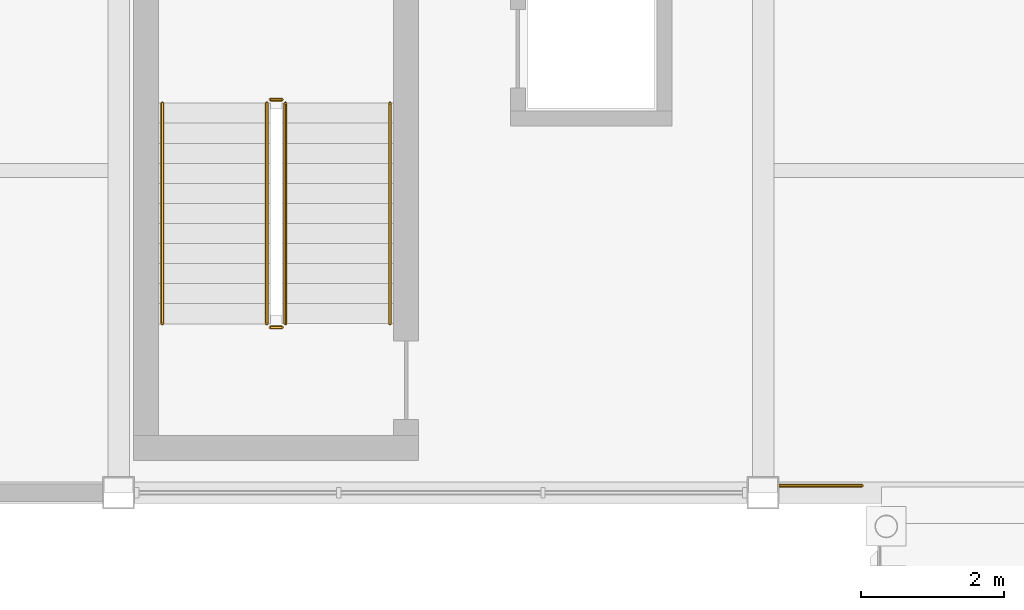
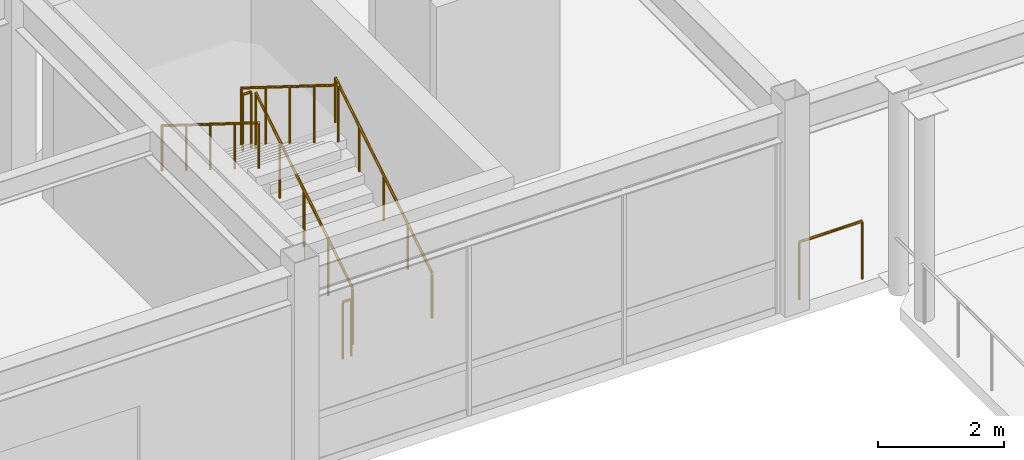
# One storey, part 94 of 105: 7 railings.
"""IFC4 building model written with IfcOpenShell, lengths in metres."""

from ifc_helpers import new_model, si_unit, direction, frame, origin, origin_2d, place, context, subcontext, project, spatial, circle, extrude, material, type_object, element, save


model = new_model("IFC4")

# Units and contexts
model_context = context("Model", 3, precision=1e-05, world=origin(), true_north=direction((0.0, 1.0)))
body_context = subcontext(model_context, "Body", "Model", "MODEL_VIEW")
ifc_project = project(units=[si_unit("LENGTHUNIT", "METRE"), si_unit("AREAUNIT", "SQUARE_METRE"), si_unit("VOLUMEUNIT", "CUBIC_METRE"), si_unit("PLANEANGLEUNIT", "RADIAN"), si_unit("MASSUNIT", "GRAM", prefix="KILO")], contexts=[model_context])

# Site, building, storey
site_placement = place(None, origin())
site = spatial("IfcSite", under=ifc_project, at=site_placement, CompositionType="ELEMENT")
building_placement = place(site_placement, origin())
building = spatial("IfcBuilding", under=site, at=building_placement, Name="Suzunagisa Mobility Hub", CompositionType="ELEMENT")
storey_placement = place(building_placement, frame((0.0, 0.0, 5.10009765625)))
storey = spatial("IfcBuildingStorey", under=building, at=storey_placement, Name="L01", CompositionType="ELEMENT", Elevation=5.10009765625)

# Railings
ifc_material_1 = material(Name="Stainless Steel SUS304", Category="metal")
railing_type_1 = type_object("IfcRailingType", Name="Interior Well Guardrail IGR-01", PredefinedType="GUARDRAIL", material=ifc_material_1)
railing_1_placement = place(storey_placement, frame((56.330078125, 82.360107421875, 0.1748046875)))
element("IfcRailing", 1, at=railing_1_placement, inside=storey, type_object=railing_type_1, Name="L01 ST-07 stair guard 1", PredefinedType="GUARDRAIL", context=body_context, shape_type="SweptSolid", body=[
    extrude(circle(Radius=0.02392578125, at=origin_2d()), frame((0.0, 0.0, 1.09619140625), z_axis=(0.0, 0.847979421464, 0.530029150871), x_axis=(-1.0, 0.0, 0.0)), (0.0, 0.0, 1.0), 3.632080078125),
    extrude(circle(Radius=0.02099609375, at=origin_2d()), origin(), (0.0, 0.0, 1.0), 1.072021484375),
    extrude(circle(Radius=0.02099609375, at=origin_2d()), frame((0.0, 0.77001953125, 0.481201171875)), (0.0, 0.0, 1.0), 1.072021484375),
    extrude(circle(Radius=0.02099609375, at=origin_2d()), frame((0.0, 1.5400390625, 0.96240234375)), (0.0, 0.0, 1.0), 1.072021484375),
    extrude(circle(Radius=0.02099609375, at=origin_2d()), frame((0.0, 2.309814453125, 1.44384765625)), (0.0, 0.0, 1.0), 1.072021484375),
    extrude(circle(Radius=0.02099609375, at=origin_2d()), frame((0.0, 3.079833984375, 1.925048828125)), (0.0, 0.0, 1.0), 1.072021484375),
])
railing_2_placement = place(storey_placement, frame((56.280029296875, 85.489990234375, 2.099853515625)))
element("IfcRailing", 2, at=railing_2_placement, inside=storey, type_object=railing_type_1, Name="L01 ST-07 stair guard 2", PredefinedType="GUARDRAIL", context=body_context, shape_type="SweptSolid", body=[
    extrude(circle(Radius=0.02392578125, at=origin_2d()), frame((0.0, 0.0, 1.09619140625), z_axis=(-1.0, 0.0, 0.0), x_axis=(0.0, -1.0, 0.0)), (0.0, 0.0, 1.0), 0.159912109375),
    extrude(circle(Radius=0.02099609375, at=origin_2d()), origin(), (0.0, 0.0, 1.0), 1.072021484375),
    extrude(circle(Radius=0.02099609375, at=origin_2d()), frame((-0.159912109375, 0.0, 0.0)), (0.0, 0.0, 1.0), 1.072021484375),
])
railing_3_placement = place(storey_placement, frame((56.070068359375, 85.43994140625, 2.27490234375)))
element("IfcRailing", 3, at=railing_3_placement, inside=storey, type_object=railing_type_1, Name="L01 ST-07 stair guard 3", PredefinedType="GUARDRAIL", context=body_context, shape_type="SweptSolid", body=[
    extrude(circle(Radius=0.02392578125, at=origin_2d()), frame((0.0, 0.0, 1.09619140625), z_axis=(0.0, -0.847979421464, 0.530029150871), x_axis=(1.0, 0.0, 0.0)), (0.0, 0.0, 1.0), 3.632080078125),
    extrude(circle(Radius=0.02099609375, at=origin_2d()), origin(), (0.0, 0.0, 1.0), 1.072021484375),
    extrude(circle(Radius=0.02099609375, at=origin_2d()), frame((0.0, -0.77001953125, 0.481201171875)), (0.0, 0.0, 1.0), 1.072021484375),
    extrude(circle(Radius=0.02099609375, at=origin_2d()), frame((0.0, -1.5400390625, 0.96240234375)), (0.0, 0.0, 1.0), 1.072021484375),
    extrude(circle(Radius=0.02099609375, at=origin_2d()), frame((0.0, -2.309814453125, 1.44384765625)), (0.0, 0.0, 1.0), 1.072021484375),
    extrude(circle(Radius=0.02099609375, at=origin_2d()), frame((0.0, -3.079833984375, 1.925048828125)), (0.0, 0.0, 1.0), 1.072021484375),
])
railing_4_placement = place(storey_placement, frame((56.280029296875, 82.31005859375, 0.0)))
element("IfcRailing", 4, at=railing_4_placement, inside=storey, type_object=railing_type_1, Name="L01 ST-07 stair guard 4", PredefinedType="GUARDRAIL", context=body_context, shape_type="SweptSolid", body=[
    extrude(circle(Radius=0.02392578125, at=origin_2d()), frame((0.0, 0.0, 1.09619140625), z_axis=(-1.0, 0.0, 0.0), x_axis=(0.0, -1.0, 0.0)), (0.0, 0.0, 1.0), 0.159912109375),
    extrude(circle(Radius=0.02099609375, at=origin_2d()), origin(), (0.0, 0.0, 1.0), 1.072021484375),
    extrude(circle(Radius=0.02099609375, at=origin_2d()), frame((-0.159912109375, 0.0, 0.0)), (0.0, 0.0, 1.0), 1.072021484375),
])
ifc_material_2 = material(Name="Anodized Aluminum and Stainless Steel SUS316", Category="metal")
railing_type_2 = type_object("IfcRailingType", Name="Streamline Ship-Deck Tubular Balustrade BL-01", PredefinedType="BALUSTRADE", material=ifc_material_2)
railing_5_placement = place(storey_placement, frame((63.22509765625, 80.10009765625, 0.0)))
element("IfcRailing", 5, at=railing_5_placement, inside=storey, type_object=railing_type_2, Name="L01 Skybridge Threshold Side Guardrail BSG-11", PredefinedType="BALUSTRADE", context=body_context, shape_type="SweptSolid", body=[
    extrude(circle(Radius=0.02392578125, at=origin_2d()), frame((0.0, 0.0, 1.11572265625), z_axis=(1.0, 0.0, 0.0), x_axis=(0.0, 1.0, 0.0)), (0.0, 0.0, 1.0), 1.15478515625),
    extrude(circle(Radius=0.02099609375, at=origin_2d()), origin(), (0.0, 0.0, 1.0), 1.091796875),
    extrude(circle(Radius=0.02099609375, at=origin_2d()), frame((1.15478515625, 0.0, 0.0)), (0.0, 0.0, 1.0), 1.091796875),
])
railing_type_3 = type_object("IfcRailingType", Name="Tubular Stainless Stair Handrail IHR-01", PredefinedType="HANDRAIL", material=ifc_material_1)
railing_6_placement = place(storey_placement, frame((57.7900390625, 82.360107421875, 0.1748046875)))
element("IfcRailing", 6, at=railing_6_placement, inside=storey, type_object=railing_type_3, Name="L01 ST-07 stair handrail 1", PredefinedType="HANDRAIL", context=body_context, shape_type="SweptSolid", body=[
    extrude(circle(Radius=0.02392578125, at=origin_2d()), frame((0.0, 0.0, 0.8759765625), z_axis=(0.0, 0.847979421464, 0.530029150871), x_axis=(-1.0, 0.0, 0.0)), (0.0, 0.0, 1.0), 3.632080078125),
    extrude(circle(Radius=0.02099609375, at=origin_2d()), origin(), (0.0, 0.0, 1.0), 0.851806640625),
    extrude(circle(Radius=0.02099609375, at=origin_2d()), frame((0.0, 0.77001953125, 0.481201171875)), (0.0, 0.0, 1.0), 0.851806640625),
    extrude(circle(Radius=0.02099609375, at=origin_2d()), frame((0.0, 1.5400390625, 0.96240234375)), (0.0, 0.0, 1.0), 0.851806640625),
    extrude(circle(Radius=0.02099609375, at=origin_2d()), frame((0.0, 2.309814453125, 1.44384765625)), (0.0, 0.0, 1.0), 0.851806640625),
    extrude(circle(Radius=0.02099609375, at=origin_2d()), frame((0.0, 3.079833984375, 1.925048828125)), (0.0, 0.0, 1.0), 0.851806640625),
])
railing_7_placement = place(storey_placement, frame((54.610107421875, 85.43994140625, 2.27490234375)))
element("IfcRailing", 7, at=railing_7_placement, inside=storey, type_object=railing_type_3, Name="L01 ST-07 stair handrail 2", PredefinedType="HANDRAIL", context=body_context, shape_type="SweptSolid", body=[
    extrude(circle(Radius=0.02392578125, at=origin_2d()), frame((0.0, 0.0, 0.8759765625), z_axis=(0.0, -0.847979421464, 0.530029150871), x_axis=(1.0, 0.0, 0.0)), (0.0, 0.0, 1.0), 3.632080078125),
    extrude(circle(Radius=0.02099609375, at=origin_2d()), origin(), (0.0, 0.0, 1.0), 0.851806640625),
    extrude(circle(Radius=0.02099609375, at=origin_2d()), frame((0.0, -0.77001953125, 0.481201171875)), (0.0, 0.0, 1.0), 0.851806640625),
    extrude(circle(Radius=0.02099609375, at=origin_2d()), frame((0.0, -1.5400390625, 0.96240234375)), (0.0, 0.0, 1.0), 0.851806640625),
    extrude(circle(Radius=0.02099609375, at=origin_2d()), frame((0.0, -2.309814453125, 1.44384765625)), (0.0, 0.0, 1.0), 0.851806640625),
    extrude(circle(Radius=0.02099609375, at=origin_2d()), frame((0.0, -3.079833984375, 1.925048828125)), (0.0, 0.0, 1.0), 0.851806640625),
])

save(model, "model.ifc")
